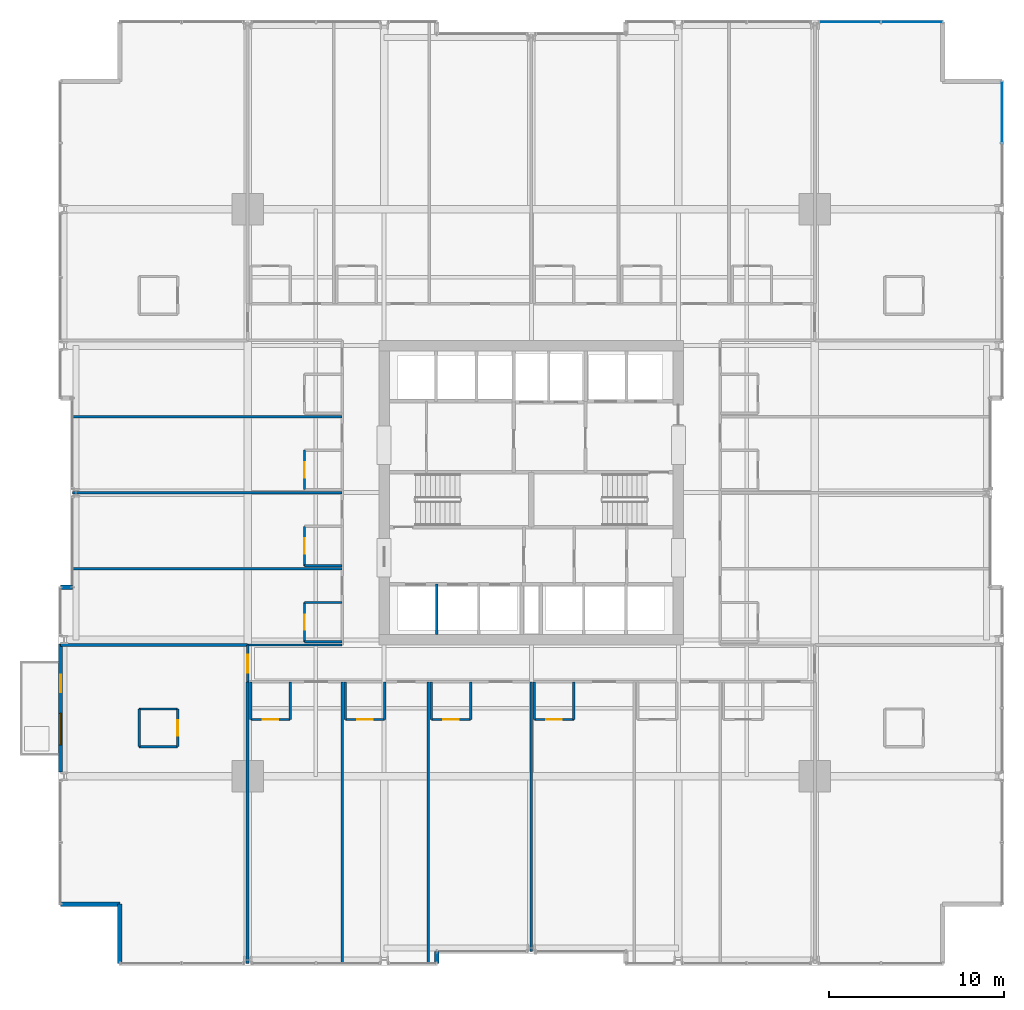
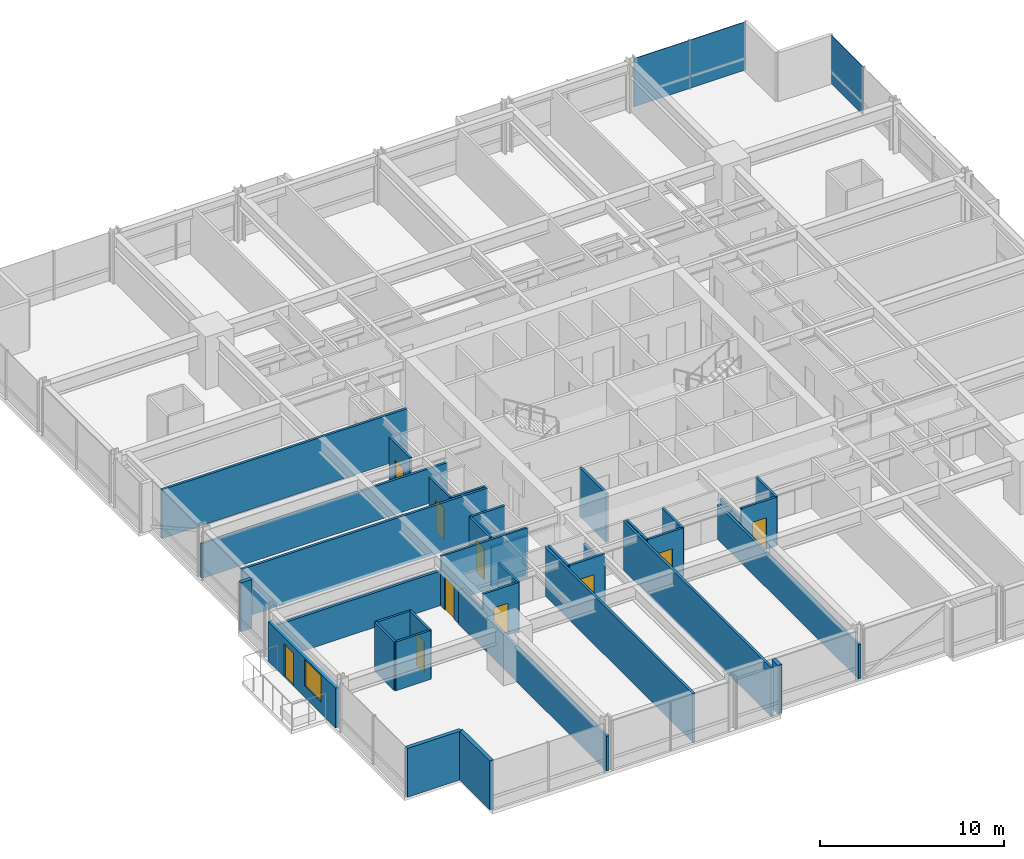
# One storey, part 30 of 39: 38 walls, 10 doors, 3 plates, 1 window, 11 openings, 2 elements without a shape of their own.
"""IFC4 building model written with IfcOpenShell, lengths in metres."""

from ifc_helpers import new_model, si_unit, direction, frame, frame_2d, origin, origin_2d, place, context, subcontext, project, spatial, rectangle, extrude, material, layer, layer_set, type_object, element, fill, aggregate, save


model = new_model("IFC4")

# Units and contexts
model_context = context("Model", 3, precision=1e-05, world=origin(), true_north=direction((0.0, 1.0)))
body_context = subcontext(model_context, "Body", "Model", "MODEL_VIEW")
ifc_project = project(units=[si_unit("LENGTHUNIT", "METRE"), si_unit("AREAUNIT", "SQUARE_METRE"), si_unit("VOLUMEUNIT", "CUBIC_METRE"), si_unit("PLANEANGLEUNIT", "RADIAN"), si_unit("MASSUNIT", "GRAM", prefix="KILO")], contexts=[model_context])

# Site, building, storey
site_placement = place(None, origin())
site = spatial("IfcSite", under=ifc_project, at=site_placement, CompositionType="ELEMENT")
building_placement = place(site_placement, origin())
building = spatial("IfcBuilding", under=site, at=building_placement, Name="Drelvath Grand Hotel", CompositionType="ELEMENT")
storey_placement = place(building_placement, frame((0.0, 0.0, 36.699951171875)))
storey = spatial("IfcBuildingStorey", under=building, at=storey_placement, Name="L07", CompositionType="ELEMENT", Elevation=36.699951171875)

# Curtain wall, plate
ifc_material_1 = material(Name="Warm Bronze Anodised Aluminium Frame", Category="aluminium")
ifc_layer_1 = layer(ifc_material_1, 0.199951171875)
ifc_layer_set_1 = layer_set([ifc_layer_1], Name="Warm Bronze Anodised Aluminium Frame")
curtain_wall_type = type_object("IfcCurtainWallType", Name="Stick Curtain Wall CW-02 Warm Bronze Low-Rise", PredefinedType="NOTDEFINED", material=ifc_layer_set_1)
curtain_wall_1_placement = place(storey_placement, origin())
curtain_wall_1 = element("IfcCurtainWall", 1, at=curtain_wall_1_placement, inside=storey, type_object=curtain_wall_type, Name="L07 CW-02 Curtain Wall CW02-L07-EN3", PredefinedType="NOTDEFINED")
ifc_material_2 = material(Name="Low-E Triple Silver Vision Glass Bronze Tint", Category="glass")
ifc_layer_2 = layer(ifc_material_2, 0.035888671875)
ifc_layer_set_2 = layer_set([ifc_layer_2], Name="Low-E Triple Silver Vision Glass Bronze Tint")
plate_type = type_object("IfcPlateType", Name="Curtain Wall Vision Panel CW-02 36mm", PredefinedType="CURTAIN_PANEL", material=ifc_layer_set_2)
plate_1_placement = place(storey_placement, frame((26.8798828125, 48.735107421875, 0.02001953125), z_axis=(0.0, 0.0, 1.0), x_axis=(0.0, -1.0, 0.0)))
plate_1 = element("IfcPlate", 2, at=plate_1_placement, type_object=plate_type, Name="CW02-L07-EN3 Glazed Panel 1", PredefinedType="CURTAIN_PANEL", context=body_context, shape_type="SweptSolid", body=[
    extrude(rectangle(XDim=3.489501953125, YDim=0.035888671875, at=origin_2d()), origin(), (0.0, 0.0, 1.0), 3.199951171875),
])
aggregate(curtain_wall_1, [plate_1])

# Curtain wall, plates
curtain_wall_2_placement = place(storey_placement, origin())
curtain_wall_2 = element("IfcCurtainWall", 3, at=curtain_wall_2_placement, inside=storey, type_object=curtain_wall_type, Name="L07 CW-02 Curtain Wall CW02-L07-NE3", PredefinedType="NOTDEFINED")
plate_2_placement = place(storey_placement, frame((18.205810546875, 53.8798828125, 0.02001953125), z_axis=(0.0, 0.0, 1.0), x_axis=(1.0, 0.0, 0.0)))
plate_2 = element("IfcPlate", 4, at=plate_2_placement, type_object=plate_type, Name="CW02-L07-NE3 Glazed Panel 1", PredefinedType="CURTAIN_PANEL", context=body_context, shape_type="SweptSolid", body=[
    extrude(rectangle(XDim=3.489501953125, YDim=0.035888671875, at=origin_2d()), origin(), (0.0, 0.0, 1.0), 3.199951171875),
])
plate_3_placement = place(storey_placement, frame((21.735107421875, 53.8798828125, 0.02001953125), z_axis=(0.0, 0.0, 1.0), x_axis=(1.0, 0.0, 0.0)))
plate_3 = element("IfcPlate", 5, at=plate_3_placement, type_object=plate_type, Name="CW02-L07-NE3 Glazed Panel 2", PredefinedType="CURTAIN_PANEL", context=body_context, shape_type="SweptSolid", body=[
    extrude(rectangle(XDim=3.489501953125, YDim=0.035888671875, at=origin_2d()), origin(), (0.0, 0.0, 1.0), 3.199951171875),
])
aggregate(curtain_wall_2, [plate_2, plate_3])

# Walls
ifc_material_3 = material(Name="Gypsum Fireboard Partition")
ifc_layer_3 = layer(ifc_material_3, 0.1650390625)
ifc_layer_set_3 = layer_set([ifc_layer_3], Name="Gypsum Fireboard Partition")
wall_type_1 = type_object("IfcWallType", Name="Core Shaft Partition 165", PredefinedType="PARTITIONING", material=ifc_layer_set_3)
wall_1_placement = place(storey_placement, frame((-5.39990234375, 18.89990234375, 0.0), z_axis=(0.0, 0.0, 1.0), x_axis=(0.0, 1.0, 0.0)))
element("IfcWall", 6, at=wall_1_placement, inside=storey, type_object=wall_type_1, Name="L07 Lift PE-1/2 Divider", PredefinedType="PARTITIONING", context=body_context, shape_type="SweptSolid", body=[
    extrude(rectangle(XDim=2.880126953125, YDim=0.1650390625, at=frame_2d((1.43994140625, 0.0))), origin(), (0.0, 0.0, 1.0), 3.239990234375),
])
ifc_layer_4 = layer(ifc_material_3, 0.135009765625)
ifc_layer_set_4 = layer_set([ifc_layer_4], Name="Gypsum Fireboard Partition")
wall_type_2 = type_object("IfcWallType", Name="Corridor Fire Barrier Wall 135", PredefinedType="PARTITIONING", material=ifc_layer_set_4)
wall_2_placement = place(storey_placement, frame((-16.199951171875, 18.300048828125, 0.0), z_axis=(0.0, 0.0, 1.0), x_axis=(1.0, 0.0, 0.0)))
element("IfcWall", 7, at=wall_2_placement, inside=storey, type_object=wall_type_2, Name="L07 SW Spur Inner Wall", PredefinedType="PARTITIONING", context=body_context, shape_type="SweptSolid", body=[
    extrude(rectangle(XDim=5.39990234375, YDim=0.135009765625, at=frame_2d((2.699951171875, 0.0))), origin(), (0.0, 0.0, 1.0), 3.239990234375),
])

# Wall, opening, door
wall_3_placement = place(storey_placement, frame((-16.199951171875, 16.199951171875, 0.0), z_axis=(0.0, 0.0, 1.0), x_axis=(0.0, 1.0, 0.0)))
wall_3 = element("IfcWall", 8, at=wall_3_placement, inside=storey, type_object=wall_type_2, Name="L07 South Corridor West End", PredefinedType="PARTITIONING", context=body_context, shape_type="SweptSolid", body=[
    extrude(rectangle(XDim=2.10009765625, YDim=0.135009765625, at=frame_2d((1.050048828125, 0.0))), origin(), (0.0, 0.0, 1.0), 2.29833984375),
])
opening_1_placement = place(wall_3_placement, frame((0.52001953125, 0.0, 0.0)))
opening_1 = element("IfcOpeningElement", 9, at=opening_1_placement, cuts=wall_3, Name="Opening D-T1G1-019", PredefinedType="OPENING", context=body_context, shape_type="SweptSolid", body=[
    extrude(rectangle(XDim=1.02001953125, YDim=2.14990234375, at=frame_2d((0.510009765625, 1.074951171875))), frame((0.0, 0.077392578125, 0.0), z_axis=(0.0, -1.0, 0.0), x_axis=(1.0, 0.0, 0.0)), (0.0, 0.0, 1.0), 0.155029296875),
])
ifc_material_4 = material(Name="Hardwood Walnut Timber", Category="wood")
door_type_1 = type_object("IfcDoorType", Name="Amenity Meeting Fire Door 1020x2150", OperationType="NOTDEFINED", PredefinedType="DOOR", material=ifc_material_4)
door_1_placement = place(opening_1_placement, origin())
door_1 = element("IfcDoor", 10, at=door_1_placement, inside=storey, type_object=door_type_1, Name="L07 Corner Suite Entry Door", OperationType="SINGLE_SWING_RIGHT", OverallHeight=2.14990234375, OverallWidth=1.02001953125, PredefinedType="DOOR", context=body_context, shape_type="SweptSolid", body=[
    extrude(rectangle(XDim=1.02001953125, YDim=2.14990234375, at=frame_2d((0.510009765625, 1.074951171875))), frame((0.0, 0.02490234375, 0.0), z_axis=(0.0, -1.0, 0.0), x_axis=(1.0, 0.0, 0.0)), (0.0, 0.0, 1.0), 0.050048828125),
])
fill(opening_1, door_1)

# Walls
ifc_material_5 = material(Name="Moisture-Resistant Gypsum Board")
ifc_layer_5 = layer(ifc_material_5, 0.139892578125)
ifc_layer_set_5 = layer_set([ifc_layer_5], Name="Moisture-Resistant Gypsum Board")
wall_type_3 = type_object("IfcWallType", Name="En-Suite Plumbing Wall 140", PredefinedType="PLUMBINGWALL", material=ifc_layer_set_5)
for number, where, z_axis, x_axis, name in (
    (11, (-22.39990234375, 12.5, 0.0), (0.0, 0.0, 1.0), (1.0, 0.0, 0.0), "L07 Corner En-Suite South"),
    (12, (-22.39990234375, 14.64990234375, 0.0), (0.0, 0.0, 1.0), (1.0, 0.0, 0.0), "L07 Corner En-Suite North"),
):
    element("IfcWall", number, at=place(storey_placement, frame(where, z_axis=z_axis, x_axis=x_axis)), inside=storey, type_object=wall_type_3, Name=name, PredefinedType="PLUMBINGWALL", context=body_context, shape_type="SweptSolid", body=[
        extrude(rectangle(XDim=2.199951171875, YDim=0.139892578125, at=frame_2d((1.10009765625, 0.0))), origin(), (0.0, 0.0, 1.0), 3.239990234375),
    ])
wall_4_placement = place(storey_placement, frame((-22.39990234375, 12.5, 0.0), z_axis=(0.0, 0.0, 1.0), x_axis=(0.0, 1.0, 0.0)))
element("IfcWall", 13, at=wall_4_placement, inside=storey, type_object=wall_type_3, Name="L07 Corner En-Suite West", PredefinedType="PLUMBINGWALL", context=body_context, shape_type="SweptSolid", body=[
    extrude(rectangle(XDim=2.14990234375, YDim=0.139892578125, at=frame_2d((1.074951171875, 0.0))), origin(), (0.0, 0.0, 1.0), 3.239990234375),
])

# Wall, opening, door
wall_5_placement = place(storey_placement, frame((-20.199951171875, 12.5, 0.0), z_axis=(0.0, 0.0, 1.0), x_axis=(0.0, 1.0, 0.0)))
wall_5 = element("IfcWall", 14, at=wall_5_placement, inside=storey, type_object=wall_type_3, Name="L07 Corner En-Suite East", PredefinedType="PLUMBINGWALL", context=body_context, shape_type="SweptSolid", body=[
    extrude(rectangle(XDim=2.14990234375, YDim=0.139892578125, at=frame_2d((1.074951171875, 0.0))), origin(), (0.0, 0.0, 1.0), 3.239990234375),
])
opening_2_placement = place(wall_5_placement, frame((0.6201171875, 0.0, 0.0)))
opening_2 = element("IfcOpeningElement", 15, at=opening_2_placement, cuts=wall_5, Name="Opening D-T1G1-018", PredefinedType="OPENING", context=body_context, shape_type="SweptSolid", body=[
    extrude(rectangle(XDim=0.8798828125, YDim=2.10009765625, at=frame_2d((0.43994140625, 1.050048828125))), frame((0.0, 0.079833984375, 0.0), z_axis=(0.0, -1.0, 0.0), x_axis=(1.0, 0.0, 0.0)), (0.0, 0.0, 1.0), 0.159912109375),
])
door_type_2 = type_object("IfcDoorType", Name="En-Suite Bathroom Door 880x2100", OperationType="NOTDEFINED", PredefinedType="DOOR", material=ifc_material_4)
door_2_placement = place(opening_2_placement, origin())
door_2 = element("IfcDoor", 16, at=door_2_placement, inside=storey, type_object=door_type_2, Name="L07 Corner En-Suite Door", OperationType="SINGLE_SWING_LEFT", OverallHeight=2.10009765625, OverallWidth=0.8798828125, PredefinedType="DOOR", context=body_context, shape_type="SweptSolid", body=[
    extrude(rectangle(XDim=0.8798828125, YDim=2.10009765625, at=frame_2d((0.43994140625, 1.050048828125))), frame((0.0, 0.02490234375, 0.0), z_axis=(0.0, -1.0, 0.0), x_axis=(1.0, 0.0, 0.0)), (0.0, 0.0, 1.0), 0.050048828125),
])
fill(opening_2, door_2)

# Walls
wall_6_placement = place(storey_placement, frame((-16.02001953125, 16.199951171875, 0.0), z_axis=(0.0, 0.0, 1.0), x_axis=(0.0, -1.0, 0.0)))
element("IfcWall", 17, at=wall_6_placement, inside=storey, type_object=wall_type_3, Name="L07 En-Suite Left Wall", PredefinedType="PLUMBINGWALL", context=body_context, shape_type="SweptSolid", body=[
    extrude(rectangle(XDim=2.14990234375, YDim=0.139892578125, at=frame_2d((1.074951171875, 0.0))), origin(), (0.0, 0.0, 1.0), 2.29833984375),
])
wall_7_placement = place(storey_placement, frame((-13.77001953125, 16.199951171875, 0.0), z_axis=(0.0, 0.0, 1.0), x_axis=(0.0, -1.0, 0.0)))
element("IfcWall", 18, at=wall_7_placement, inside=storey, type_object=wall_type_3, Name="L07 En-Suite Right Wall", PredefinedType="PLUMBINGWALL", context=body_context, shape_type="SweptSolid", body=[
    extrude(rectangle(XDim=2.14990234375, YDim=0.139892578125, at=frame_2d((1.074951171875, 0.0))), origin(), (0.0, 0.0, 1.0), 3.239990234375),
])

# Wall, opening, door
wall_8_placement = place(storey_placement, frame((-16.02001953125, 14.050048828125, 0.0), z_axis=(0.0, 0.0, 1.0), x_axis=(1.0, 0.0, 0.0)))
wall_8 = element("IfcWall", 19, at=wall_8_placement, inside=storey, type_object=wall_type_3, Name="L07 En-Suite Front Wall", PredefinedType="PLUMBINGWALL", context=body_context, shape_type="SweptSolid", body=[
    extrude(rectangle(XDim=2.25, YDim=0.139892578125, at=frame_2d((1.125, 0.0))), origin(), (0.0, 0.0, 1.0), 3.239990234375),
])
opening_3_placement = place(wall_8_placement, frame((0.68505859375, 0.0, 0.0)))
opening_3 = element("IfcOpeningElement", 20, at=opening_3_placement, cuts=wall_8, Name="Opening D-T1G1-026", PredefinedType="OPENING", context=body_context, shape_type="SweptSolid", body=[
    extrude(rectangle(XDim=0.8798828125, YDim=2.10009765625, at=frame_2d((0.43994140625, 1.050048828125))), frame((0.0, 0.079833984375, 0.0), z_axis=(0.0, -1.0, 0.0), x_axis=(1.0, 0.0, 0.0)), (0.0, 0.0, 1.0), 0.159912109375),
])
door_3_placement = place(opening_3_placement, origin())
door_3 = element("IfcDoor", 21, at=door_3_placement, inside=storey, type_object=door_type_2, Name="L07 En-Suite Bathroom Door", OperationType="SINGLE_SWING_LEFT", OverallHeight=2.10009765625, OverallWidth=0.8798828125, PredefinedType="DOOR", context=body_context, shape_type="SweptSolid", body=[
    extrude(rectangle(XDim=0.8798828125, YDim=2.10009765625, at=frame_2d((0.43994140625, 1.050048828125))), frame((0.0, 0.02490234375, 0.0), z_axis=(0.0, -1.0, 0.0), x_axis=(1.0, 0.0, 0.0)), (0.0, 0.0, 1.0), 0.050048828125),
])
fill(opening_3, door_3)

# Walls
wall_9_placement = place(storey_placement, frame((-10.6201171875, 16.199951171875, 0.0), z_axis=(0.0, 0.0, 1.0), x_axis=(0.0, -1.0, 0.0)))
element("IfcWall", 22, at=wall_9_placement, inside=storey, type_object=wall_type_3, Name="L07 En-Suite Left Wall", PredefinedType="PLUMBINGWALL", context=body_context, shape_type="SweptSolid", body=[
    extrude(rectangle(XDim=2.14990234375, YDim=0.139892578125, at=frame_2d((1.074951171875, 0.0))), origin(), (0.0, 0.0, 1.0), 3.239990234375),
])
wall_10_placement = place(storey_placement, frame((-8.3701171875, 16.199951171875, 0.0), z_axis=(0.0, 0.0, 1.0), x_axis=(0.0, -1.0, 0.0)))
element("IfcWall", 23, at=wall_10_placement, inside=storey, type_object=wall_type_3, Name="L07 En-Suite Right Wall", PredefinedType="PLUMBINGWALL", context=body_context, shape_type="SweptSolid", body=[
    extrude(rectangle(XDim=2.14990234375, YDim=0.139892578125, at=frame_2d((1.074951171875, 0.0))), origin(), (0.0, 0.0, 1.0), 2.617431640625),
])

# Wall, opening, door
wall_11_placement = place(storey_placement, frame((-10.6201171875, 14.050048828125, 0.0), z_axis=(0.0, 0.0, 1.0), x_axis=(1.0, 0.0, 0.0)))
wall_11 = element("IfcWall", 24, at=wall_11_placement, inside=storey, type_object=wall_type_3, Name="L07 En-Suite Front Wall", PredefinedType="PLUMBINGWALL", context=body_context, shape_type="SweptSolid", body=[
    extrude(rectangle(XDim=2.25, YDim=0.139892578125, at=frame_2d((1.125, 0.0))), origin(), (0.0, 0.0, 1.0), 3.239990234375),
])
opening_4_placement = place(wall_11_placement, frame((0.68505859375, 0.0, 0.0)))
opening_4 = element("IfcOpeningElement", 25, at=opening_4_placement, cuts=wall_11, Name="Opening D-T1G1-028", PredefinedType="OPENING", context=body_context, shape_type="SweptSolid", body=[
    extrude(rectangle(XDim=0.8798828125, YDim=2.10009765625, at=frame_2d((0.43994140625, 1.050048828125))), frame((0.0, 0.079833984375, 0.0), z_axis=(0.0, -1.0, 0.0), x_axis=(1.0, 0.0, 0.0)), (0.0, 0.0, 1.0), 0.159912109375),
])
door_4_placement = place(opening_4_placement, origin())
door_4 = element("IfcDoor", 26, at=door_4_placement, inside=storey, type_object=door_type_2, Name="L07 En-Suite Bathroom Door", OperationType="SINGLE_SWING_LEFT", OverallHeight=2.10009765625, OverallWidth=0.8798828125, PredefinedType="DOOR", context=body_context, shape_type="SweptSolid", body=[
    extrude(rectangle(XDim=0.8798828125, YDim=2.10009765625, at=frame_2d((0.43994140625, 1.050048828125))), frame((0.0, 0.02490234375, 0.0), z_axis=(0.0, -1.0, 0.0), x_axis=(1.0, 0.0, 0.0)), (0.0, 0.0, 1.0), 0.050048828125),
])
fill(opening_4, door_4)

# Walls
for number, where, z_axis, x_axis, name in (
    (27, (-5.7109375, 16.199951171875, 0.0), (0.0, 0.0, 1.0), (0.0, -1.0, 0.0), "L07 En-Suite Left Wall"),
    (28, (-3.4609375, 16.199951171875, 0.0), (0.0, 0.0, 1.0), (0.0, -1.0, 0.0), "L07 En-Suite Right Wall"),
):
    element("IfcWall", number, at=place(storey_placement, frame(where, z_axis=z_axis, x_axis=x_axis)), inside=storey, type_object=wall_type_3, Name=name, PredefinedType="PLUMBINGWALL", context=body_context, shape_type="SweptSolid", body=[
        extrude(rectangle(XDim=2.14990234375, YDim=0.139892578125, at=frame_2d((1.074951171875, 0.0))), origin(), (0.0, 0.0, 1.0), 3.239990234375),
    ])

# Wall, opening, door
wall_12_placement = place(storey_placement, frame((-5.7109375, 14.050048828125, 0.0), z_axis=(0.0, 0.0, 1.0), x_axis=(1.0, 0.0, 0.0)))
wall_12 = element("IfcWall", 29, at=wall_12_placement, inside=storey, type_object=wall_type_3, Name="L07 En-Suite Front Wall", PredefinedType="PLUMBINGWALL", context=body_context, shape_type="SweptSolid", body=[
    extrude(rectangle(XDim=2.25, YDim=0.139892578125, at=frame_2d((1.125, 0.0))), origin(), (0.0, 0.0, 1.0), 3.239990234375),
])
opening_5_placement = place(wall_12_placement, frame((0.68505859375, 0.0, 0.0)))
opening_5 = element("IfcOpeningElement", 30, at=opening_5_placement, cuts=wall_12, Name="Opening D-T1G1-030", PredefinedType="OPENING", context=body_context, shape_type="SweptSolid", body=[
    extrude(rectangle(XDim=0.8798828125, YDim=2.10009765625, at=frame_2d((0.43994140625, 1.050048828125))), frame((0.0, 0.079833984375, 0.0), z_axis=(0.0, -1.0, 0.0), x_axis=(1.0, 0.0, 0.0)), (0.0, 0.0, 1.0), 0.159912109375),
])
door_5_placement = place(opening_5_placement, origin())
door_5 = element("IfcDoor", 31, at=door_5_placement, inside=storey, type_object=door_type_2, Name="L07 En-Suite Bathroom Door", OperationType="SINGLE_SWING_LEFT", OverallHeight=2.10009765625, OverallWidth=0.8798828125, PredefinedType="DOOR", context=body_context, shape_type="SweptSolid", body=[
    extrude(rectangle(XDim=0.8798828125, YDim=2.10009765625, at=frame_2d((0.43994140625, 1.050048828125))), frame((0.0, 0.02490234375, 0.0), z_axis=(0.0, -1.0, 0.0), x_axis=(1.0, 0.0, 0.0)), (0.0, 0.0, 1.0), 0.050048828125),
])
fill(opening_5, door_5)

# Walls
wall_13_placement = place(storey_placement, frame((0.179931640625, 16.199951171875, 0.0), z_axis=(0.0, 0.0, 1.0), x_axis=(0.0, -1.0, 0.0)))
element("IfcWall", 32, at=wall_13_placement, inside=storey, type_object=wall_type_3, Name="L07 En-Suite Left Wall", PredefinedType="PLUMBINGWALL", context=body_context, shape_type="SweptSolid", body=[
    extrude(rectangle(XDim=2.14990234375, YDim=0.139892578125, at=frame_2d((1.074951171875, 0.0))), origin(), (0.0, 0.0, 1.0), 2.617431640625),
])
wall_14_placement = place(storey_placement, frame((2.429931640625, 16.199951171875, 0.0), z_axis=(0.0, 0.0, 1.0), x_axis=(0.0, -1.0, 0.0)))
element("IfcWall", 33, at=wall_14_placement, inside=storey, type_object=wall_type_3, Name="L07 En-Suite Right Wall", PredefinedType="PLUMBINGWALL", context=body_context, shape_type="SweptSolid", body=[
    extrude(rectangle(XDim=2.14990234375, YDim=0.139892578125, at=frame_2d((1.074951171875, 0.0))), origin(), (0.0, 0.0, 1.0), 3.239990234375),
])

# Wall, opening, door
wall_15_placement = place(storey_placement, frame((0.179931640625, 14.050048828125, 0.0), z_axis=(0.0, 0.0, 1.0), x_axis=(1.0, 0.0, 0.0)))
wall_15 = element("IfcWall", 34, at=wall_15_placement, inside=storey, type_object=wall_type_3, Name="L07 En-Suite Front Wall", PredefinedType="PLUMBINGWALL", context=body_context, shape_type="SweptSolid", body=[
    extrude(rectangle(XDim=2.25, YDim=0.139892578125, at=frame_2d((1.125, 0.0))), origin(), (0.0, 0.0, 1.0), 3.239990234375),
])
opening_6_placement = place(wall_15_placement, frame((0.68505859375, 0.0, 0.0)))
opening_6 = element("IfcOpeningElement", 35, at=opening_6_placement, cuts=wall_15, Name="Opening D-T1G1-032", PredefinedType="OPENING", context=body_context, shape_type="SweptSolid", body=[
    extrude(rectangle(XDim=0.8798828125, YDim=2.10009765625, at=frame_2d((0.43994140625, 1.050048828125))), frame((0.0, 0.079833984375, 0.0), z_axis=(0.0, -1.0, 0.0), x_axis=(1.0, 0.0, 0.0)), (0.0, 0.0, 1.0), 0.159912109375),
])
door_6_placement = place(opening_6_placement, origin())
door_6 = element("IfcDoor", 36, at=door_6_placement, inside=storey, type_object=door_type_2, Name="L07 En-Suite Bathroom Door", OperationType="SINGLE_SWING_LEFT", OverallHeight=2.10009765625, OverallWidth=0.8798828125, PredefinedType="DOOR", context=body_context, shape_type="SweptSolid", body=[
    extrude(rectangle(XDim=0.8798828125, YDim=2.10009765625, at=frame_2d((0.43994140625, 1.050048828125))), frame((0.0, 0.02490234375, 0.0), z_axis=(0.0, -1.0, 0.0), x_axis=(1.0, 0.0, 0.0)), (0.0, 0.0, 1.0), 0.050048828125),
])
fill(opening_6, door_6)

# Walls
wall_16_placement = place(storey_placement, frame((-10.800048828125, 18.47998046875, 0.0), z_axis=(0.0, 0.0, 1.0), x_axis=(-1.0, 0.0, 0.0)))
element("IfcWall", 37, at=wall_16_placement, inside=storey, type_object=wall_type_3, Name="L07 En-Suite Left Wall", PredefinedType="PLUMBINGWALL", context=body_context, shape_type="SweptSolid", body=[
    extrude(rectangle(XDim=2.14990234375, YDim=0.139892578125, at=frame_2d((1.074951171875, 0.0))), origin(), (0.0, 0.0, 1.0), 2.617431640625),
])
wall_17_placement = place(storey_placement, frame((-10.800048828125, 20.72998046875, 0.0), z_axis=(0.0, 0.0, 1.0), x_axis=(-1.0, 0.0, 0.0)))
element("IfcWall", 38, at=wall_17_placement, inside=storey, type_object=wall_type_3, Name="L07 En-Suite Right Wall", PredefinedType="PLUMBINGWALL", context=body_context, shape_type="SweptSolid", body=[
    extrude(rectangle(XDim=2.14990234375, YDim=0.139892578125, at=frame_2d((1.074951171875, 0.0))), origin(), (0.0, 0.0, 1.0), 3.239990234375),
])

# Wall, opening, door
wall_18_placement = place(storey_placement, frame((-12.949951171875, 18.47998046875, 0.0), z_axis=(0.0, 0.0, 1.0), x_axis=(0.0, 1.0, 0.0)))
wall_18 = element("IfcWall", 39, at=wall_18_placement, inside=storey, type_object=wall_type_3, Name="L07 En-Suite Front Wall", PredefinedType="PLUMBINGWALL", context=body_context, shape_type="SweptSolid", body=[
    extrude(rectangle(XDim=2.25, YDim=0.139892578125, at=frame_2d((1.125, 0.0))), origin(), (0.0, 0.0, 1.0), 3.239990234375),
])
opening_7_placement = place(wall_18_placement, frame((0.68505859375, 0.0, 0.0)))
opening_7 = element("IfcOpeningElement", 40, at=opening_7_placement, cuts=wall_18, Name="Opening D-T1G1-049", PredefinedType="OPENING", context=body_context, shape_type="SweptSolid", body=[
    extrude(rectangle(XDim=0.8798828125, YDim=2.10009765625, at=frame_2d((0.43994140625, 1.050048828125))), frame((0.0, 0.079833984375, 0.0), z_axis=(0.0, -1.0, 0.0), x_axis=(1.0, 0.0, 0.0)), (0.0, 0.0, 1.0), 0.159912109375),
])
door_7_placement = place(opening_7_placement, origin())
door_7 = element("IfcDoor", 41, at=door_7_placement, inside=storey, type_object=door_type_2, Name="L07 En-Suite Bathroom Door", OperationType="SINGLE_SWING_RIGHT", OverallHeight=2.10009765625, OverallWidth=0.8798828125, PredefinedType="DOOR", context=body_context, shape_type="SweptSolid", body=[
    extrude(rectangle(XDim=0.8798828125, YDim=2.10009765625, at=frame_2d((0.43994140625, 1.050048828125))), frame((0.0, 0.02490234375, 0.0), z_axis=(0.0, -1.0, 0.0), x_axis=(1.0, 0.0, 0.0)), (0.0, 0.0, 1.0), 0.050048828125),
])
fill(opening_7, door_7)

# Wall
wall_19_placement = place(storey_placement, frame((-10.800048828125, 22.830078125, 0.0), z_axis=(0.0, 0.0, 1.0), x_axis=(-1.0, 0.0, 0.0)))
element("IfcWall", 42, at=wall_19_placement, inside=storey, type_object=wall_type_3, Name="L07 En-Suite Left Wall", PredefinedType="PLUMBINGWALL", context=body_context, shape_type="SweptSolid", body=[
    extrude(rectangle(XDim=2.14990234375, YDim=0.139892578125, at=frame_2d((1.074951171875, 0.0))), origin(), (0.0, 0.0, 1.0), 3.239990234375),
])

# Wall, opening, door
wall_20_placement = place(storey_placement, frame((-12.949951171875, 22.830078125, 0.0), z_axis=(0.0, 0.0, 1.0), x_axis=(0.0, 1.0, 0.0)))
wall_20 = element("IfcWall", 43, at=wall_20_placement, inside=storey, type_object=wall_type_3, Name="L07 En-Suite Front Wall", PredefinedType="PLUMBINGWALL", context=body_context, shape_type="SweptSolid", body=[
    extrude(rectangle(XDim=2.25, YDim=0.139892578125, at=frame_2d((1.125, 0.0))), origin(), (0.0, 0.0, 1.0), 3.239990234375),
])
opening_8_placement = place(wall_20_placement, frame((0.68505859375, 0.0, 0.0)))
opening_8 = element("IfcOpeningElement", 44, at=opening_8_placement, cuts=wall_20, Name="Opening D-T1G1-051", PredefinedType="OPENING", context=body_context, shape_type="SweptSolid", body=[
    extrude(rectangle(XDim=0.8798828125, YDim=2.10009765625, at=frame_2d((0.43994140625, 1.050048828125))), frame((0.0, 0.079833984375, 0.0), z_axis=(0.0, -1.0, 0.0), x_axis=(1.0, 0.0, 0.0)), (0.0, 0.0, 1.0), 0.159912109375),
])
door_8_placement = place(opening_8_placement, origin())
door_8 = element("IfcDoor", 45, at=door_8_placement, inside=storey, type_object=door_type_2, Name="L07 En-Suite Bathroom Door", OperationType="SINGLE_SWING_RIGHT", OverallHeight=2.10009765625, OverallWidth=0.8798828125, PredefinedType="DOOR", context=body_context, shape_type="SweptSolid", body=[
    extrude(rectangle(XDim=0.8798828125, YDim=2.10009765625, at=frame_2d((0.43994140625, 1.050048828125))), frame((0.0, 0.02490234375, 0.0), z_axis=(0.0, -1.0, 0.0), x_axis=(1.0, 0.0, 0.0)), (0.0, 0.0, 1.0), 0.050048828125),
])
fill(opening_8, door_8)

wall_21_placement = place(storey_placement, frame((-12.949951171875, 27.179931640625, 0.0), z_axis=(0.0, 0.0, 1.0), x_axis=(0.0, 1.0, 0.0)))
wall_21 = element("IfcWall", 46, at=wall_21_placement, inside=storey, type_object=wall_type_3, Name="L07 En-Suite Front Wall", PredefinedType="PLUMBINGWALL", context=body_context, shape_type="SweptSolid", body=[
    extrude(rectangle(XDim=2.25, YDim=0.139892578125, at=frame_2d((1.125, 0.0))), origin(), (0.0, 0.0, 1.0), 3.239990234375),
])
opening_9_placement = place(wall_21_placement, frame((0.68505859375, 0.0, 0.0)))
opening_9 = element("IfcOpeningElement", 47, at=opening_9_placement, cuts=wall_21, Name="Opening D-T1G1-053", PredefinedType="OPENING", context=body_context, shape_type="SweptSolid", body=[
    extrude(rectangle(XDim=0.8798828125, YDim=2.10009765625, at=frame_2d((0.43994140625, 1.050048828125))), frame((0.0, 0.079833984375, 0.0), z_axis=(0.0, -1.0, 0.0), x_axis=(1.0, 0.0, 0.0)), (0.0, 0.0, 1.0), 0.159912109375),
])
door_9_placement = place(opening_9_placement, origin())
door_9 = element("IfcDoor", 48, at=door_9_placement, inside=storey, type_object=door_type_2, Name="L07 En-Suite Bathroom Door", OperationType="SINGLE_SWING_RIGHT", OverallHeight=2.10009765625, OverallWidth=0.8798828125, PredefinedType="DOOR", context=body_context, shape_type="SweptSolid", body=[
    extrude(rectangle(XDim=0.8798828125, YDim=2.10009765625, at=frame_2d((0.43994140625, 1.050048828125))), frame((0.0, 0.02490234375, 0.0), z_axis=(0.0, -1.0, 0.0), x_axis=(1.0, 0.0, 0.0)), (0.0, 0.0, 1.0), 0.050048828125),
])
fill(opening_9, door_9)

# Walls
ifc_material_6 = material(Name="Gypsum Acoustic Partition")
ifc_layer_6 = layer(ifc_material_6, 0.14990234375)
ifc_layer_set_6 = layer_set([ifc_layer_6], Name="Gypsum Acoustic Partition")
wall_type_4 = type_object("IfcWallType", Name="Guestroom Demising Wall 150", PredefinedType="PARTITIONING", material=ifc_layer_set_6)
for number, where, z_axis, x_axis, name in (
    (49, (-10.800048828125, 0.1201171875, 0.0), (0.0, 0.0, 1.0), (0.0, 1.0, 0.0), "L07 South Demising 1"),
    (50, (-5.890869140625, 0.1201171875, 0.0), (0.0, 0.0, 1.0), (0.0, 1.0, 0.0), "L07 South Demising 2"),
):
    element("IfcWall", number, at=place(storey_placement, frame(where, z_axis=z_axis, x_axis=x_axis)), inside=storey, type_object=wall_type_4, Name=name, PredefinedType="PARTITIONING", context=body_context, shape_type="SweptSolid", body=[
        extrude(rectangle(XDim=16.079833984375, YDim=0.14990234375, at=frame_2d((8.0400390625, 0.0))), origin(), (0.0, 0.0, 1.0), 3.239990234375),
    ])
wall_22_placement = place(storey_placement, frame((0.0, 0.800048828125, 0.0), z_axis=(0.0, 0.0, 1.0), x_axis=(0.0, 1.0, 0.0)))
element("IfcWall", 51, at=wall_22_placement, inside=storey, type_object=wall_type_4, Name="L07 South Demising 3", PredefinedType="PARTITIONING", context=body_context, shape_type="SweptSolid", body=[
    extrude(rectangle(XDim=15.39990234375, YDim=0.14990234375, at=frame_2d((7.699951171875, 0.0))), origin(), (0.0, 0.0, 1.0), 2.29833984375),
])
wall_23_placement = place(storey_placement, frame((-26.199951171875, 22.64990234375, 0.0), z_axis=(0.0, 0.0, 1.0), x_axis=(1.0, 0.0, 0.0)))
element("IfcWall", 52, at=wall_23_placement, inside=storey, type_object=wall_type_4, Name="L07 West Demising 1", PredefinedType="PARTITIONING", context=body_context, shape_type="SweptSolid", body=[
    extrude(rectangle(XDim=15.39990234375, YDim=0.14990234375, at=frame_2d((7.699951171875, 0.0))), origin(), (0.0, 0.0, 1.0), 3.239990234375),
])
wall_24_placement = place(storey_placement, frame((-26.199951171875, 27.0, 0.0), z_axis=(0.0, 0.0, 1.0), x_axis=(1.0, 0.0, 0.0)))
element("IfcWall", 53, at=wall_24_placement, inside=storey, type_object=wall_type_4, Name="L07 West Demising 2", PredefinedType="PARTITIONING", context=body_context, shape_type="SweptSolid", body=[
    extrude(rectangle(XDim=15.39990234375, YDim=0.14990234375, at=frame_2d((7.699951171875, 0.0))), origin(), (0.0, 0.0, 1.0), 2.29833984375),
])
wall_25_placement = place(storey_placement, frame((-26.199951171875, 31.35009765625, 0.0), z_axis=(0.0, 0.0, 1.0), x_axis=(1.0, 0.0, 0.0)))
element("IfcWall", 54, at=wall_25_placement, inside=storey, type_object=wall_type_4, Name="L07 West Demising 3", PredefinedType="PARTITIONING", context=body_context, shape_type="SweptSolid", body=[
    extrude(rectangle(XDim=15.39990234375, YDim=0.14990234375, at=frame_2d((7.699951171875, 0.0))), origin(), (0.0, 0.0, 1.0), 3.239990234375),
])
ifc_layer_7 = layer(ifc_material_6, 0.1650390625)
ifc_layer_set_7 = layer_set([ifc_layer_7], Name="Gypsum Acoustic Partition")
wall_type_5 = type_object("IfcWallType", Name="Suite Demising Wall 165", PredefinedType="PARTITIONING", material=ifc_layer_set_7)
wall_26_placement = place(storey_placement, frame((-16.199951171875, 0.1201171875, 0.0), z_axis=(0.0, 0.0, 1.0), x_axis=(0.0, 1.0, 0.0)))
element("IfcWall", 55, at=wall_26_placement, inside=storey, type_object=wall_type_5, Name="L07 SW Wing Boundary Wall", PredefinedType="PARTITIONING", context=body_context, shape_type="SweptSolid", body=[
    extrude(rectangle(XDim=16.079833984375, YDim=0.1650390625, at=frame_2d((8.0400390625, 0.0))), origin(), (0.0, 0.0, 1.0), 2.29833984375),
])
wall_27_placement = place(storey_placement, frame((-26.8798828125, 18.300048828125, 0.0), z_axis=(0.0, 0.0, 1.0), x_axis=(1.0, 0.0, 0.0)))
element("IfcWall", 56, at=wall_27_placement, inside=storey, type_object=wall_type_5, Name="L07 SW Corner North Wall", PredefinedType="PARTITIONING", context=body_context, shape_type="SweptSolid", body=[
    extrude(rectangle(XDim=10.679931640625, YDim=0.1650390625, at=frame_2d((5.33984375, 0.0))), origin(), (0.0, 0.0, 1.0), 2.29833984375),
])

# Wall, openings, window, door
ifc_material_7 = material(Name="Pale-Metal Insulated Aluminium Spandrel Assembly", Category="aluminium")
ifc_layer_8 = layer(ifc_material_7, 0.239990234375)
ifc_layer_set_8 = layer_set([ifc_layer_8], Name="Pale-Metal Insulated Aluminium Spandrel Assembly")
wall_type_6 = type_object("IfcWallType", Name="Tower Insulated Metal Spandrel Closure Wall 240", PredefinedType="STANDARD", material=ifc_layer_set_8)
wall_28_placement = place(storey_placement, frame((-26.8798828125, 11.041015625, 0.0), z_axis=(0.0, 0.0, 1.0), x_axis=(0.0, 1.0, 0.0)))
wall_28 = element("IfcWall", 57, at=wall_28_placement, inside=storey, type_object=wall_type_6, Name="L07 Exterior Terrace Door Bay Wall WS2", PredefinedType="STANDARD", context=body_context, shape_type="SweptSolid", body=[
    extrude(rectangle(XDim=7.318115234375, YDim=0.239990234375, at=frame_2d((3.6591796875, 0.0))), origin(), (0.0, 0.0, 1.0), 2.629150390625),
])
opening_10_placement = place(wall_28_placement, frame((4.55908203125, 0.0, 0.0)))
opening_10 = element("IfcOpeningElement", 58, at=opening_10_placement, cuts=wall_28, Name="Opening TD-1000", PredefinedType="OPENING", context=body_context, shape_type="SweptSolid", body=[
    extrude(rectangle(XDim=1.0, YDim=2.199951171875, at=frame_2d((0.5, 1.10009765625))), frame((0.0, 0.1298828125, 0.0), z_axis=(0.0, -1.0, 0.0), x_axis=(1.0, 0.0, 0.0)), (0.0, 0.0, 1.0), 0.260009765625),
])
opening_11_placement = place(wall_28_placement, frame((1.552490234375, 0.0, 0.75)))
opening_11 = element("IfcOpeningElement", 59, at=opening_11_placement, cuts=wall_28, Name="Opening W-02", PredefinedType="OPENING", context=body_context, shape_type="SweptSolid", body=[
    extrude(rectangle(XDim=1.800048828125, YDim=1.779052734375, at=frame_2d((0.89990234375, 0.8896484375))), frame((0.0, 0.1298828125, 0.0), z_axis=(0.0, -1.0, 0.0), x_axis=(1.0, 0.0, 0.0)), (0.0, 0.0, 1.0), 0.260009765625),
])
ifc_material_8 = material(Name="Bronze Anodised Low-E Triple Glazing", Category="glass")
window_type = type_object("IfcWindowType", Name="Chicago Double-Pane Podium Window 1800x2400", PartitioningType="DOUBLE_PANEL_VERTICAL", PredefinedType="WINDOW", material=ifc_material_8)
window_placement = place(opening_11_placement, origin())
window = element("IfcWindow", 60, at=window_placement, inside=storey, type_object=window_type, Name="L07 Terrace Bay Companion Window WS2", OverallHeight=1.779052734375, OverallWidth=1.800048828125, PartitioningType="SINGLE_PANEL", PredefinedType="WINDOW", context=body_context, shape_type="SweptSolid", body=[
    extrude(rectangle(XDim=1.800048828125, YDim=1.779052734375, at=frame_2d((0.89990234375, 0.8896484375))), frame((0.0, 0.030029296875, 0.0), z_axis=(0.0, -1.0, 0.0), x_axis=(1.0, 0.0, 0.0)), (0.0, 0.0, 1.0), 0.06005859375),
])
fill(opening_11, window)
ifc_material_9 = material(Name="Anodised Aluminium Thermally Broken Glazed Door", Category="aluminium")
door_type_3 = type_object("IfcDoorType", Name="Terrace and Tree Balcony Glazed Door 1000x2200", OperationType="NOTDEFINED", PredefinedType="DOOR", material=ifc_material_9)
door_10_placement = place(opening_10_placement, origin())
door_10 = element("IfcDoor", 61, at=door_10_placement, inside=storey, type_object=door_type_3, Name="L07 Tree Balcony Door DOOR-L07-TBAL-1", OperationType="SINGLE_SWING_RIGHT", OverallHeight=2.199951171875, OverallWidth=1.0, PredefinedType="DOOR", context=body_context, shape_type="SweptSolid", body=[
    extrude(rectangle(XDim=1.0, YDim=2.199951171875, at=frame_2d((0.5, 1.10009765625))), frame((0.0, 0.02490234375, 0.0), z_axis=(0.0, -1.0, 0.0), x_axis=(1.0, 0.0, 0.0)), (0.0, 0.0, 1.0), 0.050048828125),
])
fill(opening_10, door_10)

# Walls
for number, where, z_axis, x_axis, name in (
    (62, (-23.5, 0.1201171875, 0.0), (0.0, 0.0, 1.0), (0.0, 1.0, 0.0), "L07 Notched Corner Return Spandrel Wall CSW1"),
    (63, (-23.5, 3.5, 0.0), (0.0, 0.0, 1.0), (-1.0, 0.0, 0.0), "L07 Notched Corner Return Spandrel Wall CSW2"),
):
    element("IfcWall", number, at=place(storey_placement, frame(where, z_axis=z_axis, x_axis=x_axis)), inside=storey, type_object=wall_type_6, Name=name, PredefinedType="STANDARD", context=body_context, shape_type="SweptSolid", body=[
        extrude(rectangle(XDim=3.3798828125, YDim=0.239990234375, at=frame_2d((1.68994140625, 0.0))), origin(), (0.0, 0.0, 1.0), 3.239990234375),
    ])
for number, where, z_axis, x_axis, name in (
    (64, (-26.8798828125, 21.60009765625, 0.0), (0.0, 0.0, 1.0), (1.0, 0.0, 0.0), "L07 Notched Corner Return Spandrel Wall RW1"),
    (65, (-5.39990234375, 0.800048828125, 0.0), (0.0, 0.0, 1.0), (0.0, -1.0, 0.0), "L07 Notched Corner Return Spandrel Wall RS2"),
):
    element("IfcWall", number, at=place(storey_placement, frame(where, z_axis=z_axis, x_axis=x_axis)), inside=storey, type_object=wall_type_6, Name=name, PredefinedType="STANDARD", context=body_context, shape_type="SweptSolid", body=[
        extrude(rectangle(XDim=0.679931640625, YDim=0.239990234375, at=frame_2d((0.33984375, 0.0))), origin(), (0.0, 0.0, 1.0), 3.239990234375),
    ])

save(model, "model.ifc")
